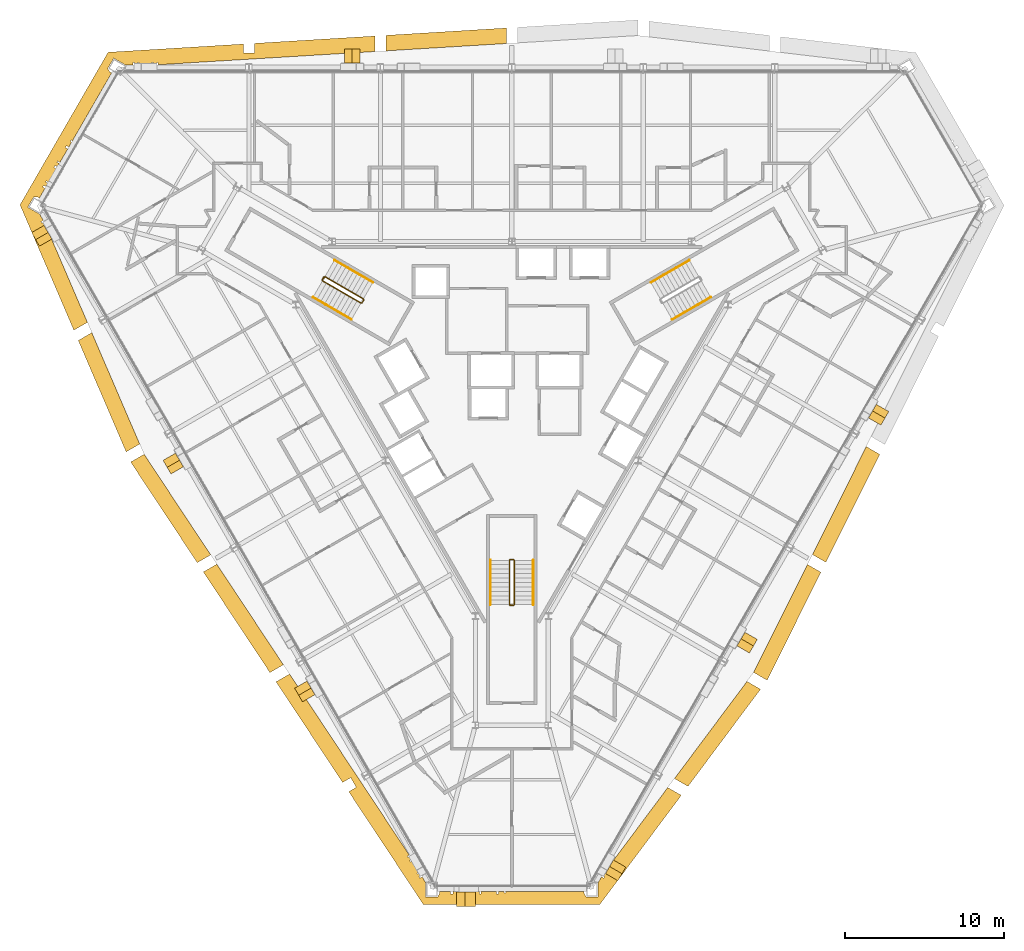
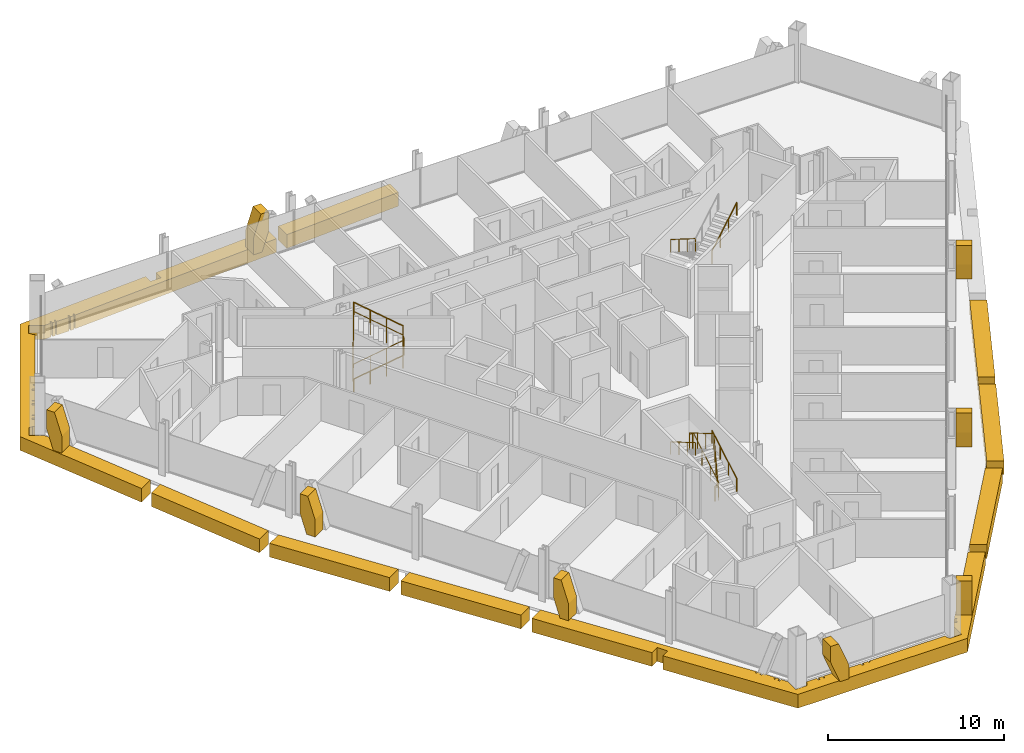
# One storey, part 16 of 17: 17 coverings, 8 railings.
"""IFC4 building model written with IfcOpenShell, lengths in metres."""

from ifc_helpers import new_model, si_unit, direction, frame, origin, origin_2d, place, context, subcontext, project, spatial, polyline, circle, outline, extrude, material, layer, layer_set, type_object, element, save


model = new_model("IFC4")

# Units and contexts
model_context = context("Model", 3, precision=1e-05, world=origin(), true_north=direction((0.0, 1.0)))
body_context = subcontext(model_context, "Body", "Model", "MODEL_VIEW")
ifc_project = project(units=[si_unit("LENGTHUNIT", "METRE"), si_unit("AREAUNIT", "SQUARE_METRE"), si_unit("VOLUMEUNIT", "CUBIC_METRE"), si_unit("PLANEANGLEUNIT", "RADIAN"), si_unit("MASSUNIT", "GRAM", prefix="KILO")], contexts=[model_context])

# Site, building, storey
site_placement = place(None, origin())
site = spatial("IfcSite", under=ifc_project, at=site_placement, CompositionType="ELEMENT")
building_placement = place(site_placement, origin())
building = spatial("IfcBuilding", under=site, at=building_placement, Name="Verrane Prism Tower", CompositionType="ELEMENT")
storey_placement = place(building_placement, frame((0.0, 0.0, 136.0)))
storey = spatial("IfcBuildingStorey", under=building, at=storey_placement, Name="L33", CompositionType="ELEMENT", Elevation=136.0)

# Railings
ifc_material_1 = material(Name="Steel A36 rail and posts, no infill", Category="steel")
railing_type_1 = type_object("IfcRailingType", Name="Stair guard 1100 steel rail and posts", PredefinedType="GUARDRAIL", material=ifc_material_1)
railing_1_placement = place(storey_placement, frame((-11.939453125, 6.72021484375, 0.16357421875)))
element("IfcRailing", 1, at=railing_1_placement, inside=storey, type_object=railing_type_1, Name="Stair 2 guard", PredefinedType="GUARDRAIL", context=body_context, shape_type="SweptSolid", body=[
    extrude(circle(Radius=0.02392578125, at=origin_2d()), frame((0.0, 0.0, 1.076171875), z_axis=(0.747665513933, -0.431721881032, 0.504591415616), x_axis=(0.500049511043, 0.865996816683, 0.0)), (0.0, 0.0, 1.0), 3.2431640625),
    extrude(circle(Radius=0.02392578125, at=origin_2d()), frame((2.4248046875, -1.400146484375, 2.71240234375), z_axis=(0.965948051503, 0.258736085224, 0.0), x_axis=(-0.258736085224, 0.965948051503, 0.0)), (0.0, 0.0, 1.0), 0.07080078125),
    extrude(circle(Radius=0.02392578125, at=origin_2d()), frame((2.4931640625, -1.3818359375, 2.71240234375), z_axis=(0.499158860599, 0.866510491504, 0.0), x_axis=(-0.866510491504, 0.499158860599, 0.0)), (0.0, 0.0, 1.0), 0.199951171875),
    extrude(circle(Radius=0.02392578125, at=origin_2d()), frame((2.593017578125, -1.20849609375, 2.71240234375), z_axis=(-0.102791240646, 0.382383415203, 0.918268416436), x_axis=(-0.965715946433, -0.259601060869, 0.0)), (0.0, 0.0, 1.0), 0.17822265625),
    extrude(circle(Radius=0.02392578125, at=origin_2d()), frame((2.57470703125, -1.140380859375, 2.8759765625), z_axis=(-0.747665513933, 0.431721881032, 0.504591415616), x_axis=(-0.500049511043, -0.865996816683, 0.0)), (0.0, 0.0, 1.0), 3.2431640625),
    extrude(circle(Radius=0.02392578125, at=origin_2d()), frame((0.14990234375, 0.259765625, 4.5126953125), z_axis=(-0.046607763296, -0.053101733218, -0.99750083826), x_axis=(0.751567565678, -0.659656118156, 0.0)), (0.0, 0.0, 1.0), 3.609130859375),
    extrude(circle(Radius=0.02392578125, at=origin_2d()), frame((-0.018310546875, 0.068115234375, 0.91259765625), z_axis=(0.499158860599, 0.866510491504, 0.0), x_axis=(-0.866510491504, 0.499158860599, 0.0)), (0.0, 0.0, 1.0), 0.199951171875),
    extrude(circle(Radius=0.02099609375, at=origin_2d()), origin(), (0.0, 0.0, 1.0), 1.052001953125),
    extrude(circle(Radius=0.02099609375, at=origin_2d()), frame((0.808349609375, -0.466796875, 0.54541015625)), (0.0, 0.0, 1.0), 1.052001953125),
    extrude(circle(Radius=0.02099609375, at=origin_2d()), frame((1.616455078125, -0.933349609375, 1.091064453125)), (0.0, 0.0, 1.0), 1.052001953125),
    extrude(circle(Radius=0.02099609375, at=origin_2d()), frame((2.4248046875, -1.400146484375, 1.636474609375)), (0.0, 0.0, 1.0), 1.052001953125),
    extrude(circle(Radius=0.02099609375, at=origin_2d()), frame((2.4931640625, -1.3818359375, 1.636474609375)), (0.0, 0.0, 1.0), 1.052001953125),
    extrude(circle(Radius=0.02099609375, at=origin_2d()), frame((2.593017578125, -1.20849609375, 1.636474609375)), (0.0, 0.0, 1.0), 1.052001953125),
    extrude(circle(Radius=0.02099609375, at=origin_2d()), frame((2.57470703125, -1.140380859375, 1.800048828125)), (0.0, 0.0, 1.0), 1.052001953125),
    extrude(circle(Radius=0.02099609375, at=origin_2d()), frame((1.766357421875, -0.673583984375, 2.345458984375)), (0.0, 0.0, 1.0), 1.052001953125),
    extrude(circle(Radius=0.02099609375, at=origin_2d()), frame((0.958251953125, -0.20703125, 2.89111328125)), (0.0, 0.0, 1.0), 1.052001953125),
    extrude(circle(Radius=0.02099609375, at=origin_2d()), frame((0.14990234375, 0.259765625, 3.4365234375)), (0.0, 0.0, 1.0), 1.052001953125),
    extrude(circle(Radius=0.02099609375, at=origin_2d()), frame((0.10791015625, 0.2119140625, 2.53662109375)), (0.0, 0.0, 1.0), 1.052001953125),
    extrude(circle(Radius=0.02099609375, at=origin_2d()), frame((0.06591796875, 0.1640625, 1.636474609375)), (0.0, 0.0, 1.0), 1.052001953125),
    extrude(circle(Radius=0.02099609375, at=origin_2d()), frame((0.023681640625, 0.115966796875, 0.736328125)), (0.0, 0.0, 1.0), 1.052001953125),
    extrude(circle(Radius=0.02099609375, at=origin_2d()), frame((-0.018310546875, 0.068115234375, -0.16357421875)), (0.0, 0.0, 1.0), 1.052001953125),
    extrude(circle(Radius=0.02099609375, at=origin_2d()), frame((0.08154296875, 0.241455078125, -0.16357421875)), (0.0, 0.0, 1.0), 1.052001953125),
])
railing_2_placement = place(storey_placement, frame((0.14990234375, -13.699951171875, 0.16357421875)))
element("IfcRailing", 2, at=railing_2_placement, inside=storey, type_object=railing_type_1, Name="Stair 3 guard", PredefinedType="GUARDRAIL", context=body_context, shape_type="SweptSolid", body=[
    extrude(circle(Radius=0.02392578125, at=origin_2d()), frame((0.0, 0.0, 1.076171875), z_axis=(0.0, 0.863360870873, 0.504586966384), x_axis=(-1.0, 0.0, 0.0)), (0.0, 0.0, 1.0), 3.2431640625),
    extrude(circle(Radius=0.02392578125, at=origin_2d()), frame((0.0, 2.800048828125, 2.71240234375), z_axis=(-0.707106781187, 0.707106781187, 0.0), x_axis=(-0.707106781187, -0.707106781187, 0.0)), (0.0, 0.0, 1.0), 0.0703125),
    extrude(circle(Radius=0.02392578125, at=origin_2d()), frame((-0.0498046875, 2.849853515625, 2.71240234375), z_axis=(-1.0, 0.0, 0.0), x_axis=(0.0, -1.0, 0.0)), (0.0, 0.0, 1.0), 0.2001953125),
    extrude(circle(Radius=0.02392578125, at=origin_2d()), frame((-0.25, 2.849853515625, 2.71240234375), z_axis=(-0.279653641804, -0.279653641804, 0.918470294159), x_axis=(0.707106781187, -0.707106781187, 0.0)), (0.0, 0.0, 1.0), 0.177978515625),
    extrude(circle(Radius=0.02392578125, at=origin_2d()), frame((-0.2998046875, 2.800048828125, 2.8759765625), z_axis=(0.0, -0.863360870873, 0.504586966384), x_axis=(1.0, 0.0, 0.0)), (0.0, 0.0, 1.0), 3.2431640625),
    extrude(circle(Radius=0.02392578125, at=origin_2d()), frame((-0.2998046875, 0.0, 4.5126953125), z_axis=(0.069269067181, -0.013867342551, -0.997501625634), x_axis=(0.196300278283, 0.98054382908, 0.0)), (0.0, 0.0, 1.0), 3.609130859375),
    extrude(circle(Radius=0.02392578125, at=origin_2d()), frame((-0.0498046875, -0.050048828125, 0.91259765625), z_axis=(-1.0, 0.0, 0.0), x_axis=(0.0, -1.0, 0.0)), (0.0, 0.0, 1.0), 0.2001953125),
    extrude(circle(Radius=0.02099609375, at=origin_2d()), origin(), (0.0, 0.0, 1.0), 1.052001953125),
    extrude(circle(Radius=0.02099609375, at=origin_2d()), frame((0.0, 0.933349609375, 0.54541015625)), (0.0, 0.0, 1.0), 1.052001953125),
    extrude(circle(Radius=0.02099609375, at=origin_2d()), frame((0.0, 1.86669921875, 1.091064453125)), (0.0, 0.0, 1.0), 1.052001953125),
    extrude(circle(Radius=0.02099609375, at=origin_2d()), frame((0.0, 2.800048828125, 1.636474609375)), (0.0, 0.0, 1.0), 1.052001953125),
    extrude(circle(Radius=0.02099609375, at=origin_2d()), frame((-0.0498046875, 2.849853515625, 1.636474609375)), (0.0, 0.0, 1.0), 1.052001953125),
    extrude(circle(Radius=0.02099609375, at=origin_2d()), frame((-0.25, 2.849853515625, 1.636474609375)), (0.0, 0.0, 1.0), 1.052001953125),
    extrude(circle(Radius=0.02099609375, at=origin_2d()), frame((-0.2998046875, 2.800048828125, 1.800048828125)), (0.0, 0.0, 1.0), 1.052001953125),
    extrude(circle(Radius=0.02099609375, at=origin_2d()), frame((-0.2998046875, 1.86669921875, 2.345458984375)), (0.0, 0.0, 1.0), 1.052001953125),
    extrude(circle(Radius=0.02099609375, at=origin_2d()), frame((-0.2998046875, 0.933349609375, 2.89111328125)), (0.0, 0.0, 1.0), 1.052001953125),
    extrude(circle(Radius=0.02099609375, at=origin_2d()), frame((-0.2998046875, 0.0, 3.4365234375)), (0.0, 0.0, 1.0), 1.052001953125),
    extrude(circle(Radius=0.02099609375, at=origin_2d()), frame((-0.2373046875, -0.012451171875, 2.53662109375)), (0.0, 0.0, 1.0), 1.052001953125),
    extrude(circle(Radius=0.02099609375, at=origin_2d()), frame((-0.1748046875, -0.02490234375, 1.636474609375)), (0.0, 0.0, 1.0), 1.052001953125),
    extrude(circle(Radius=0.02099609375, at=origin_2d()), frame((-0.1123046875, -0.03759765625, 0.736328125)), (0.0, 0.0, 1.0), 1.052001953125),
    extrude(circle(Radius=0.02099609375, at=origin_2d()), frame((-0.0498046875, -0.050048828125, -0.16357421875)), (0.0, 0.0, 1.0), 1.052001953125),
    extrude(circle(Radius=0.02099609375, at=origin_2d()), frame((-0.25, -0.050048828125, -0.16357421875)), (0.0, 0.0, 1.0), 1.052001953125),
])
ifc_material_2 = material(Name="Steel A36 tube", Category="steel")
railing_type_2 = type_object("IfcRailingType", Name="Stair handrail 900 steel tube", PredefinedType="HANDRAIL", material=ifc_material_2)
railing_3_placement = place(storey_placement, frame((11.189453125, 8.01904296875, 0.16357421875)))
element("IfcRailing", 3, at=railing_3_placement, inside=storey, type_object=railing_type_2, Name="Stair 1 handrail", PredefinedType="HANDRAIL", context=body_context, shape_type="SweptSolid", body=[
    extrude(circle(Radius=0.02392578125, at=origin_2d()), frame((0.0, 0.0, 0.8759765625), z_axis=(-0.747689811644, -0.431660630283, 0.504607813879), x_axis=(0.49998411664, -0.866034573852, 0.0)), (0.0, 0.0, 1.0), 3.2431640625),
    extrude(circle(Radius=0.02099609375, at=origin_2d()), origin(), (0.0, 0.0, 1.0), 0.851806640625),
    extrude(circle(Radius=0.02099609375, at=origin_2d()), frame((-0.808349609375, -0.466552734375, 0.54541015625)), (0.0, 0.0, 1.0), 0.851806640625),
    extrude(circle(Radius=0.02099609375, at=origin_2d()), frame((-1.616455078125, -0.933349609375, 1.091064453125)), (0.0, 0.0, 1.0), 0.851806640625),
    extrude(circle(Radius=0.02099609375, at=origin_2d()), frame((-2.4248046875, -1.39990234375, 1.636474609375)), (0.0, 0.0, 1.0), 0.851806640625),
])
railing_4_placement = place(storey_placement, frame((10.11474609375, 4.28076171875, 1.963623046875)))
element("IfcRailing", 4, at=railing_4_placement, inside=storey, type_object=railing_type_2, Name="Stair 1 handrail", PredefinedType="HANDRAIL", context=body_context, shape_type="SweptSolid", body=[
    extrude(circle(Radius=0.02392578125, at=origin_2d()), frame((0.0, 0.0, 0.8759765625), z_axis=(0.747665513933, 0.431721881032, 0.504591415616), x_axis=(-0.500049511043, 0.865996816683, 0.0)), (0.0, 0.0, 1.0), 3.2431640625),
    extrude(circle(Radius=0.02099609375, at=origin_2d()), origin(), (0.0, 0.0, 1.0), 0.851806640625),
    extrude(circle(Radius=0.02099609375, at=origin_2d()), frame((0.808349609375, 0.466796875, 0.54541015625)), (0.0, 0.0, 1.0), 0.851806640625),
    extrude(circle(Radius=0.02099609375, at=origin_2d()), frame((1.616455078125, 0.933349609375, 1.091064453125)), (0.0, 0.0, 1.0), 0.851806640625),
    extrude(circle(Radius=0.02099609375, at=origin_2d()), frame((2.4248046875, 1.400146484375, 1.636474609375)), (0.0, 0.0, 1.0), 0.851806640625),
])
railing_5_placement = place(storey_placement, frame((-12.53955078125, 5.680908203125, 0.16357421875)))
element("IfcRailing", 5, at=railing_5_placement, inside=storey, type_object=railing_type_2, Name="Stair 2 handrail", PredefinedType="HANDRAIL", context=body_context, shape_type="SweptSolid", body=[
    extrude(circle(Radius=0.02392578125, at=origin_2d()), frame((0.0, 0.0, 0.8759765625), z_axis=(0.747665513933, -0.431721881032, 0.504591415616), x_axis=(0.500049511043, 0.865996816683, 0.0)), (0.0, 0.0, 1.0), 3.2431640625),
    extrude(circle(Radius=0.02099609375, at=origin_2d()), origin(), (0.0, 0.0, 1.0), 0.851806640625),
    extrude(circle(Radius=0.02099609375, at=origin_2d()), frame((0.808349609375, -0.466796875, 0.54541015625)), (0.0, 0.0, 1.0), 0.851806640625),
    extrude(circle(Radius=0.02099609375, at=origin_2d()), frame((1.616455078125, -0.933349609375, 1.091064453125)), (0.0, 0.0, 1.0), 0.851806640625),
    extrude(circle(Radius=0.02099609375, at=origin_2d()), frame((2.4248046875, -1.400146484375, 1.636474609375)), (0.0, 0.0, 1.0), 0.851806640625),
])
railing_6_placement = place(storey_placement, frame((-8.7646484375, 6.619140625, 1.963623046875)))
element("IfcRailing", 6, at=railing_6_placement, inside=storey, type_object=railing_type_2, Name="Stair 2 handrail", PredefinedType="HANDRAIL", context=body_context, shape_type="SweptSolid", body=[
    extrude(circle(Radius=0.02392578125, at=origin_2d()), frame((0.0, 0.0, 0.8759765625), z_axis=(-0.747689811644, 0.431660630283, 0.504607813879), x_axis=(-0.49998411664, -0.866034573852, 0.0)), (0.0, 0.0, 1.0), 3.2431640625),
    extrude(circle(Radius=0.02099609375, at=origin_2d()), origin(), (0.0, 0.0, 1.0), 0.851806640625),
    extrude(circle(Radius=0.02099609375, at=origin_2d()), frame((-0.808349609375, 0.466552734375, 0.54541015625)), (0.0, 0.0, 1.0), 0.851806640625),
    extrude(circle(Radius=0.02099609375, at=origin_2d()), frame((-1.616455078125, 0.933349609375, 1.091064453125)), (0.0, 0.0, 1.0), 0.851806640625),
    extrude(circle(Radius=0.02099609375, at=origin_2d()), frame((-2.4248046875, 1.39990234375, 1.636474609375)), (0.0, 0.0, 1.0), 0.851806640625),
])
railing_7_placement = place(storey_placement, frame((1.35009765625, -13.699951171875, 0.16357421875)))
element("IfcRailing", 7, at=railing_7_placement, inside=storey, type_object=railing_type_2, Name="Stair 3 handrail", PredefinedType="HANDRAIL", context=body_context, shape_type="SweptSolid", body=[
    extrude(circle(Radius=0.02392578125, at=origin_2d()), frame((0.0, 0.0, 0.8759765625), z_axis=(0.0, 0.863360870873, 0.504586966384), x_axis=(-1.0, 0.0, 0.0)), (0.0, 0.0, 1.0), 3.2431640625),
    extrude(circle(Radius=0.02099609375, at=origin_2d()), origin(), (0.0, 0.0, 1.0), 0.851806640625),
    extrude(circle(Radius=0.02099609375, at=origin_2d()), frame((0.0, 0.933349609375, 0.54541015625)), (0.0, 0.0, 1.0), 0.851806640625),
    extrude(circle(Radius=0.02099609375, at=origin_2d()), frame((0.0, 1.86669921875, 1.091064453125)), (0.0, 0.0, 1.0), 0.851806640625),
    extrude(circle(Radius=0.02099609375, at=origin_2d()), frame((0.0, 2.800048828125, 1.636474609375)), (0.0, 0.0, 1.0), 0.851806640625),
])
railing_8_placement = place(storey_placement, frame((-1.35009765625, -10.89990234375, 1.963623046875)))
element("IfcRailing", 8, at=railing_8_placement, inside=storey, type_object=railing_type_2, Name="Stair 3 handrail", PredefinedType="HANDRAIL", context=body_context, shape_type="SweptSolid", body=[
    extrude(circle(Radius=0.02392578125, at=origin_2d()), frame((0.0, 0.0, 0.8759765625), z_axis=(0.0, -0.863360870873, 0.504586966384), x_axis=(1.0, 0.0, 0.0)), (0.0, 0.0, 1.0), 3.2431640625),
    extrude(circle(Radius=0.02099609375, at=origin_2d()), origin(), (0.0, 0.0, 1.0), 0.851806640625),
    extrude(circle(Radius=0.02099609375, at=origin_2d()), frame((0.0, -0.933349609375, 0.54541015625)), (0.0, 0.0, 1.0), 0.851806640625),
    extrude(circle(Radius=0.02099609375, at=origin_2d()), frame((0.0, -1.86669921875, 1.091064453125)), (0.0, 0.0, 1.0), 0.851806640625),
    extrude(circle(Radius=0.02099609375, at=origin_2d()), frame((0.0, -2.800048828125, 1.636474609375)), (0.0, 0.0, 1.0), 0.851806640625),
])

# Coverings
ifc_material_3 = material(Name="Warm limestone cladding", Category="masonry")
ifc_layer_1 = layer(ifc_material_3, 0.89990234375)
ifc_layer_set_1 = layer_set([ifc_layer_1], Name="Stone brace fin 900")
covering_type_1 = type_object("IfcCoveringType", Name="Stone brace fin 900", PredefinedType="CLADDING", material=ifc_layer_set_1)
covering_1_placement = place(storey_placement, frame((-10.561279296875, 20.89404296875, 0.0), z_axis=(0.0, 0.0, 1.0), x_axis=(1.0, 0.0, 0.0)))
element("IfcCovering", 9, at=covering_1_placement, inside=storey, type_object=covering_type_1, Name="Stone brace fin N5 L33", PredefinedType="CLADDING", context=body_context, shape_type="SweptSolid", body=[
    extrude(outline(polyline([(0.989501953125, 2.64990234375), (0.477783203125, 2.64990234375), (0.0, 1.197509765625), (0.0, 0.0), (0.553466796875, 0.0), (0.989501953125, 1.32568359375), (0.989501953125, 2.64990234375)])), frame((0.0, 0.449951171875, 0.0), z_axis=(0.0, -1.0, 0.0), x_axis=(1.0, 0.0, 0.0)), (0.0, 0.0, 1.0), 0.89990234375),
])
covering_2_placement = place(storey_placement, frame((-29.395751953125, 9.131103515625, 0.0), z_axis=(0.0, 0.0, 1.0), x_axis=(-0.499430482855, 0.866353965071, 0.0)))
element("IfcCovering", 10, at=covering_2_placement, inside=storey, type_object=covering_type_1, Name="Stone brace fin SW1 L33", PredefinedType="CLADDING", context=body_context, shape_type="SweptSolid", body=[
    extrude(outline(polyline([(0.989501953125, 2.64990234375), (0.4775390625, 2.64990234375), (0.0, 1.19775390625), (0.0, 0.0), (0.553466796875, 0.0), (0.989501953125, 1.3251953125), (0.989501953125, 2.64990234375)])), frame((0.0, 0.449951171875, 0.0), z_axis=(0.0, -1.0, 0.0), x_axis=(1.0, 0.0, 0.0)), (0.0, 0.0, 1.0), 0.89990234375),
])
covering_3_placement = place(storey_placement, frame((-21.10595703125, -5.231201171875, 0.0), z_axis=(0.0, 0.0, 1.0), x_axis=(-0.498897125908, 0.866661212793, 0.0)))
element("IfcCovering", 11, at=covering_3_placement, inside=storey, type_object=covering_type_1, Name="Stone brace fin SW3 L33", PredefinedType="CLADDING", context=body_context, shape_type="SweptSolid", body=[
    extrude(outline(polyline([(0.990478515625, 2.64990234375), (0.478515625, 2.64990234375), (0.0, 1.1962890625), (0.0, 0.0), (0.5537109375, 0.0), (0.990478515625, 1.32666015625), (0.990478515625, 2.64990234375)])), frame((0.0, 0.449951171875, 0.0), z_axis=(0.0, -1.0, 0.0), x_axis=(1.0, 0.0, 0.0)), (0.0, 0.0, 1.0), 0.89990234375),
])
covering_4_placement = place(storey_placement, frame((-12.8125, -19.599365234375, 0.0), z_axis=(0.0, 0.0, 1.0), x_axis=(-0.500355657594, 0.86581996738, 0.0)))
element("IfcCovering", 12, at=covering_4_placement, inside=storey, type_object=covering_type_1, Name="Stone brace fin SW5 L33", PredefinedType="CLADDING", context=body_context, shape_type="SweptSolid", body=[
    extrude(outline(polyline([(0.989990234375, 2.64990234375), (0.478271484375, 2.64990234375), (0.0, 1.197021484375), (0.0, 0.0), (0.5537109375, 0.0), (0.989990234375, 1.326171875), (0.989990234375, 2.64990234375)])), frame((0.0, 0.449951171875, 0.0), z_axis=(0.0, -1.0, 0.0), x_axis=(1.0, 0.0, 0.0)), (0.0, 0.0, 1.0), 0.89990234375),
])
covering_5_placement = place(storey_placement, frame((6.794189453125, -30.024658203125, 0.0), z_axis=(0.0, 0.0, 1.0), x_axis=(-0.49972245349, -0.866185586049, 0.0)))
element("IfcCovering", 13, at=covering_5_placement, inside=storey, type_object=covering_type_1, Name="Stone brace fin SE1 L33", PredefinedType="CLADDING", context=body_context, shape_type="SweptSolid", body=[
    extrude(outline(polyline([(0.989501953125, 2.64990234375), (0.4775390625, 2.64990234375), (0.0, 1.19775390625), (0.0, 0.0), (0.553466796875, 0.0), (0.989501953125, 1.3251953125), (0.989501953125, 2.64990234375)])), frame((0.0, 0.449951171875, 0.0), z_axis=(0.0, -1.0, 0.0), x_axis=(1.0, 0.0, 0.0)), (0.0, 0.0, 1.0), 0.89990234375),
])
for number, where, z_axis, x_axis, name in (
    (14, (15.08642578125, -15.665283203125, 0.0), (0.0, 0.0, 1.0), (-0.500462509046, -0.86575820934, 0.0), "Stone brace fin SE3 L33"),
    (15, (23.37646484375, -1.295166015625, 0.0), (0.0, 0.0, 1.0), (-0.500355657594, -0.86581996738, 0.0), "Stone brace fin SE5 L33"),
):
    element("IfcCovering", number, at=place(storey_placement, frame(where, z_axis=z_axis, x_axis=x_axis)), inside=storey, type_object=covering_type_1, Name=name, PredefinedType="CLADDING", context=body_context, shape_type="SweptSolid", body=[
        extrude(outline(polyline([(0.989990234375, 2.64990234375), (0.478271484375, 2.64990234375), (0.0, 1.197021484375), (0.0, 0.0), (0.5537109375, 0.0), (0.989990234375, 1.326171875), (0.989990234375, 2.64990234375)])), frame((0.0, 0.449951171875, 0.0), z_axis=(0.0, -1.0, 0.0), x_axis=(1.0, 0.0, 0.0)), (0.0, 0.0, 1.0), 0.89990234375),
    ])
covering_6_placement = place(storey_placement, frame((-2.283935546875, -32.267822265625, 0.0), z_axis=(0.0, 0.0, 1.0), x_axis=(-1.0, 0.0, 0.0)))
element("IfcCovering", 16, at=covering_6_placement, inside=storey, type_object=covering_type_1, Name="Stone brace fin S1 L33", PredefinedType="CLADDING", context=body_context, shape_type="SweptSolid", body=[
    extrude(outline(polyline([(1.20361328125, 2.64990234375), (0.675537109375, 2.64990234375), (0.0, 0.964599609375), (0.0, 0.0), (0.5830078125, 0.0), (1.20361328125, 1.54833984375), (1.20361328125, 2.64990234375)])), frame((0.0, 0.449951171875, 0.0), z_axis=(0.0, -1.0, 0.0), x_axis=(1.0, 0.0, 0.0)), (0.0, 0.0, 1.0), 0.89990234375),
])
ifc_material_4 = material(Name="Warm limestone cladding", Category="masonry")
ifc_layer_2 = layer(ifc_material_4, 0.449951171875)
ifc_layer_set_2 = layer_set([ifc_layer_2], Name="Stone spandrel band 450")
covering_type_2 = type_object("IfcCoveringType", Name="Stone spandrel band 450", PredefinedType="CLADDING", material=ifc_layer_set_2)
covering_7_placement = place(storey_placement, frame((0.0, 0.0, -0.949951171875)))
element("IfcCovering", 17, at=covering_7_placement, inside=storey, type_object=covering_type_2, Name="Stone spandrel band L33 part 2", PredefinedType="CLADDING", context=body_context, shape_type="SweptSolid", body=[
    extrude(outline(polyline([(-26.765380859375, 4.100830078125), (-29.020263671875, 9.34765625), (-29.045654296875, 9.3330078125), (-29.10205078125, 9.4306640625), (-29.065185546875, 9.451904296875), (-29.385498046875, 10.197265625), (-29.50439453125, 10.128662109375), (-29.539794921875, 10.190185546875), (-29.413818359375, 10.262939453125), (-29.474609375, 10.40478515625), (-29.493896484375, 10.43798828125), (-29.635498046875, 10.355712890625), (-29.690673828125, 10.45068359375), (-29.548583984375, 10.533203125), (-29.777099609375, 10.9287109375), (-30.525634765625, 11.36083984375), (-30.145751953125, 12.01904296875), (-30.126708984375, 12.008056640625), (-29.901611328125, 12.008056640625), (-29.790771484375, 11.944091796875), (-29.44189453125, 12.548583984375), (-29.585205078125, 12.631103515625), (-29.51806640625, 12.747802734375), (-29.37451171875, 12.6650390625), (-29.256591796875, 12.869140625), (-29.400146484375, 12.951904296875), (-29.358642578125, 13.024169921875), (-29.215087890625, 12.94140625), (-28.724609375, 13.790771484375), (-28.86865234375, 13.873779296875), (-28.799560546875, 13.993408203125), (-28.655517578125, 13.910400390625), (-28.5361328125, 14.117431640625), (-28.68017578125, 14.20068359375), (-28.638671875, 14.272705078125), (-28.494384765625, 14.189697265625), (-28.00390625, 15.0390625), (-28.148681640625, 15.122314453125), (-28.07958984375, 15.2421875), (-27.934814453125, 15.15869140625), (-27.77734375, 15.431640625), (-27.8466796875, 15.558349609375), (-27.764404296875, 15.603271484375), (-27.722412109375, 15.526611328125), (-25.23828125, 19.829345703125), (-25.352783203125, 19.8955078125), (-25.466796875, 20.08984375), (-25.485595703125, 20.100830078125), (-25.105712890625, 20.759033203125), (-24.35107421875, 20.323486328125), (-23.898681640625, 20.323486328125), (-23.898681640625, 20.489990234375), (-23.7890625, 20.489990234375), (-23.7890625, 20.323486328125), (-23.5966796875, 20.323486328125), (-23.5966796875, 20.489990234375), (-23.52587890625, 20.489990234375), (-23.52587890625, 20.323486328125), (-22.71875, 20.323486328125), (-22.71875, 20.489990234375), (-22.60595703125, 20.489990234375), (-22.60595703125, 20.328369140625), (-22.388916015625, 20.341552734375), (-22.372314453125, 20.488037109375), (-22.297607421875, 20.4794921875), (-22.31298828125, 20.34619140625), (-8.64208984375, 21.1787109375), (-8.64208984375, 22.15869140625), (-16.234130859375, 21.6962890625), (-16.234130859375, 21.101806640625), (-16.93408203125, 21.101806640625), (-16.93408203125, 21.653564453125), (-25.460205078125, 21.13427734375), (-31.015380859375, 11.5126953125), (-27.618408203125, 3.6083984375), (-26.765380859375, 4.100830078125)])), origin(), (0.0, 0.0, 1.0), 0.949951171875),
])
covering_8_placement = place(storey_placement, frame((0.0, 0.0, -0.949951171875)))
element("IfcCovering", 18, at=covering_8_placement, inside=storey, type_object=covering_type_2, Name="Stone spandrel band L33 part 3", PredefinedType="CLADDING", context=body_context, shape_type="SweptSolid", body=[
    extrude(outline(polyline([(5.537353515625, -32.616455078125), (10.68408203125, -25.722412109375), (9.831298828125, -25.229736328125), (6.56591796875, -29.603515625), (6.55908203125, -29.619384765625), (6.555419921875, -29.61767578125), (6.414794921875, -29.805908203125), (6.444091796875, -29.82275390625), (6.3876953125, -29.92041015625), (6.34716796875, -29.89697265625), (5.861572265625, -30.547119140625), (5.9853515625, -30.618408203125), (5.949951171875, -30.679931640625), (5.81884765625, -30.604248046875), (5.726318359375, -30.728271484375), (5.706787109375, -30.76220703125), (5.853515625, -30.84716796875), (5.798095703125, -30.942138671875), (5.652099609375, -30.857177734375), (5.429931640625, -31.24169921875), (5.429931640625, -32.1201171875), (4.669921875, -32.1201171875), (4.669921875, -32.097900390625), (4.55615234375, -31.90380859375), (4.55615234375, -31.771728515625), (-0.41748046875, -31.771728515625), (-0.37109375, -31.84814453125), (-0.451171875, -31.896484375), (-0.52685546875, -31.771728515625), (-0.841064453125, -31.771728515625), (-0.841064453125, -31.93994140625), (-0.979248046875, -31.93994140625), (-0.979248046875, -31.771728515625), (-1.961181640625, -31.771728515625), (-1.961181640625, -31.93994140625), (-2.044677734375, -31.93994140625), (-2.044677734375, -31.771728515625), (-2.283935546875, -31.771728515625), (-2.283935546875, -31.93994140625), (-2.422119140625, -31.93994140625), (-2.422119140625, -31.771728515625), (-3.404052734375, -31.771728515625), (-3.404052734375, -31.93994140625), (-3.487548828125, -31.93994140625), (-3.487548828125, -31.771728515625), (-3.7236328125, -31.771728515625), (-3.7236328125, -31.93994140625), (-3.858154296875, -31.93994140625), (-3.858154296875, -31.771728515625), (-4.55615234375, -31.771728515625), (-4.55615234375, -31.90380859375), (-4.669921875, -32.097900390625), (-4.669921875, -32.1201171875), (-5.429931640625, -32.1201171875), (-5.429931640625, -31.24169921875), (-5.652099609375, -30.857177734375), (-5.798095703125, -30.942138671875), (-5.853515625, -30.84716796875), (-5.706787109375, -30.76220703125), (-5.80322265625, -30.59521484375), (-5.949951171875, -30.679931640625), (-5.9853515625, -30.618408203125), (-5.838623046875, -30.533935546875), (-6.241455078125, -29.8359375), (-6.3876953125, -29.92041015625), (-6.444091796875, -29.82275390625), (-6.30224609375, -29.740966796875), (-6.421875, -29.559814453125), (-6.55908203125, -29.619384765625), (-6.589111328125, -29.550537109375), (-6.4638671875, -29.496337890625), (-14.020263671875, -18.073486328125), (-14.868896484375, -18.563720703125), (-10.672607421875, -24.9072265625), (-10.1591796875, -24.611083984375), (-9.809326171875, -25.21728515625), (-10.28564453125, -25.4921875), (-5.57275390625, -32.616455078125), (5.537353515625, -32.616455078125)])), origin(), (0.0, 0.0, 1.0), 0.949951171875),
])
covering_9_placement = place(storey_placement, frame((0.0, 0.0, -0.949951171875)))
element("IfcCovering", 19, at=covering_9_placement, inside=storey, type_object=covering_type_2, Name="Stone spandrel band L33 part 4", PredefinedType="CLADDING", context=body_context, shape_type="SweptSolid", body=[
    extrude(outline(polyline([(-24.3212890625, -4.06298828125), (-23.46826171875, -3.570556640625), (-26.487060546875, 3.453125), (-27.33984375, 2.960693359375), (-24.3212890625, -4.06298828125)])), origin(), (0.0, 0.0, 1.0), 0.949951171875),
])
covering_10_placement = place(storey_placement, frame((0.0, 0.0, -0.949951171875)))
element("IfcCovering", 20, at=covering_10_placement, inside=storey, type_object=covering_type_2, Name="Stone spandrel band L33 part 5", PredefinedType="CLADDING", context=body_context, shape_type="SweptSolid", body=[
    extrude(outline(polyline([(15.67919921875, -19.031494140625), (14.826416015625, -18.538818359375), (10.2529296875, -24.6650390625), (11.10595703125, -25.157470703125), (15.67919921875, -19.031494140625)])), origin(), (0.0, 0.0, 1.0), 0.949951171875),
])
covering_11_placement = place(storey_placement, frame((0.0, 0.0, -0.949951171875)))
element("IfcCovering", 21, at=covering_11_placement, inside=storey, type_object=covering_type_2, Name="Stone spandrel band L33 part 7", PredefinedType="CLADDING", context=body_context, shape_type="SweptSolid", body=[
    extrude(outline(polyline([(-18.99072265625, -10.56005859375), (-23.187255859375, -4.21630859375), (-24.035888671875, -4.706298828125), (-19.83935546875, -11.050048828125), (-18.99072265625, -10.56005859375)])), origin(), (0.0, 0.0, 1.0), 0.949951171875),
])
covering_12_placement = place(storey_placement, frame((0.0, 0.0, -0.949951171875)))
element("IfcCovering", 22, at=covering_12_placement, inside=storey, type_object=covering_type_2, Name="Stone spandrel band L33 part 8", PredefinedType="CLADDING", context=body_context, shape_type="SweptSolid", body=[
    extrude(outline(polyline([(-14.4072265625, -17.48876953125), (-18.603759765625, -11.14501953125), (-19.452392578125, -11.635009765625), (-15.255859375, -17.978759765625), (-14.4072265625, -17.48876953125)])), origin(), (0.0, 0.0, 1.0), 0.949951171875),
])
covering_13_placement = place(storey_placement, frame((0.0, 0.0, -0.949951171875)))
element("IfcCovering", 23, at=covering_13_placement, inside=storey, type_object=covering_type_2, Name="Stone spandrel band L33 part 9", PredefinedType="CLADDING", context=body_context, shape_type="SweptSolid", body=[
    extrude(outline(polyline([(18.640625, -11.166259765625), (15.2451171875, -17.972412109375), (16.09375, -18.46240234375), (19.4892578125, -11.65625), (18.640625, -11.166259765625)])), origin(), (0.0, 0.0, 1.0), 0.949951171875),
])
covering_14_placement = place(storey_placement, frame((0.0, 0.0, -0.949951171875)))
element("IfcCovering", 24, at=covering_14_placement, inside=storey, type_object=covering_type_2, Name="Stone spandrel band L33 part 10", PredefinedType="CLADDING", context=body_context, shape_type="SweptSolid", body=[
    extrude(outline(polyline([(22.349365234375, -3.732666015625), (18.953857421875, -10.538818359375), (19.802490234375, -11.02880859375), (23.197998046875, -4.22265625), (22.349365234375, -3.732666015625)])), origin(), (0.0, 0.0, 1.0), 0.949951171875),
])
covering_15_placement = place(storey_placement, frame((0.0, 0.0, -0.949951171875)))
element("IfcCovering", 25, at=covering_15_placement, inside=storey, type_object=covering_type_2, Name="Stone spandrel band L33 part 12", PredefinedType="CLADDING", context=body_context, shape_type="SweptSolid", body=[
    extrude(outline(polyline([(-7.94189453125, 22.201416015625), (-7.94189453125, 21.221435546875), (-0.35009765625, 21.683837890625), (-0.35009765625, 22.663818359375), (-7.94189453125, 22.201416015625)])), origin(), (0.0, 0.0, 1.0), 0.949951171875),
])

save(model, "model.ifc")
